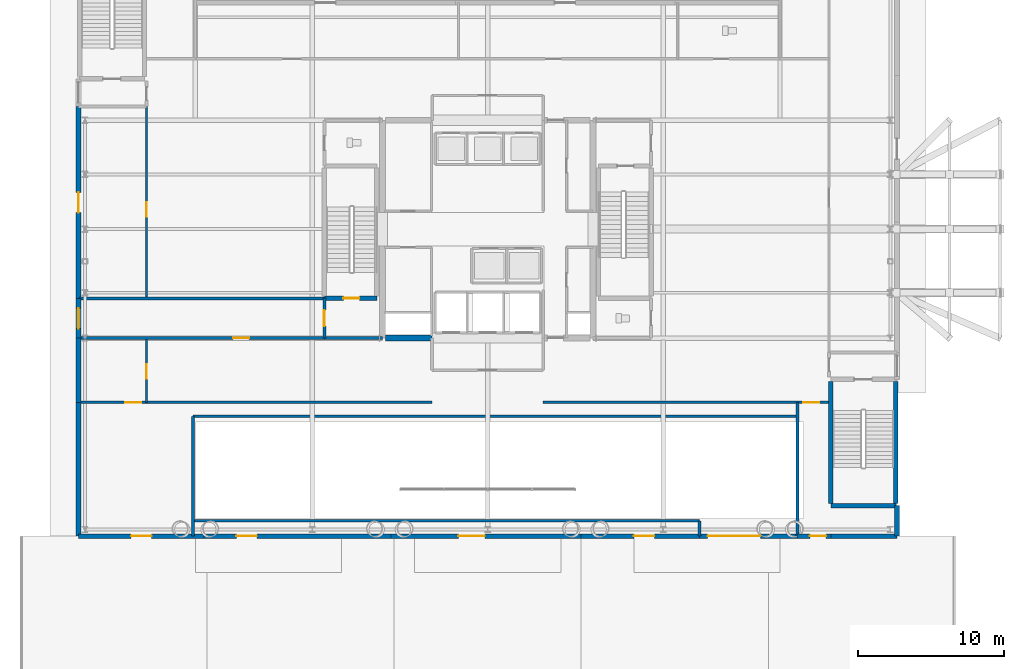
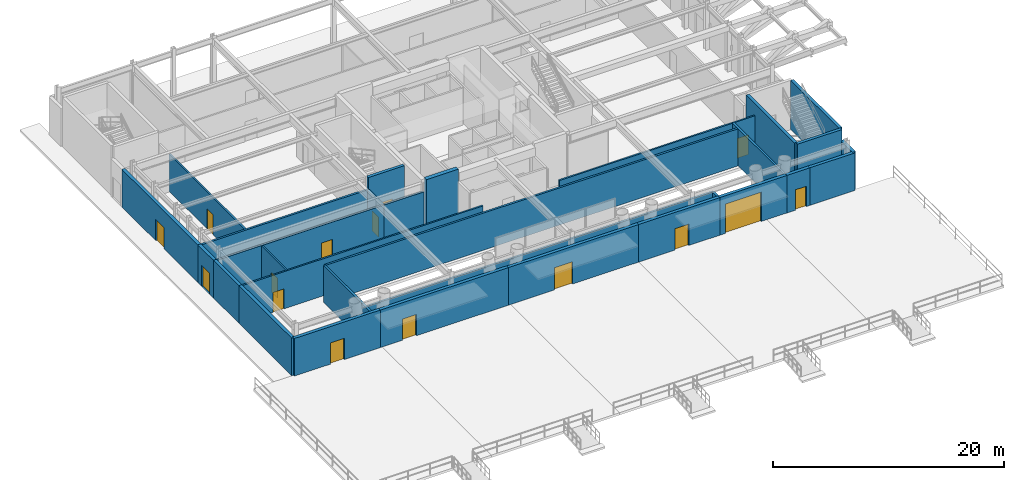
# One storey, part 11 of 19: 30 walls, 15 doors, 15 openings.
"""IFC4 building model written with IfcOpenShell, lengths in metres."""

from ifc_helpers import new_model, si_unit, direction, frame, frame_2d, origin, place, context, subcontext, project, spatial, rectangle, extrude, material, layer, layer_set, type_object, element, fill, save


model = new_model("IFC4")

# Units and contexts
model_context = context("Model", 3, precision=1e-05, world=origin(), true_north=direction((0.0, 1.0)))
body_context = subcontext(model_context, "Body", "Model", "MODEL_VIEW")
ifc_project = project(units=[si_unit("LENGTHUNIT", "METRE"), si_unit("AREAUNIT", "SQUARE_METRE"), si_unit("VOLUMEUNIT", "CUBIC_METRE"), si_unit("PLANEANGLEUNIT", "RADIAN"), si_unit("MASSUNIT", "GRAM", prefix="KILO")], contexts=[model_context])

# Site, building, storey
site_placement = place(None, origin())
site = spatial("IfcSite", under=ifc_project, at=site_placement, CompositionType="ELEMENT")
building_placement = place(site_placement, origin())
building = spatial("IfcBuilding", under=site, at=building_placement, Name="Veldorina Hangang Commons", CompositionType="ELEMENT")
storey_placement = place(building_placement, origin())
storey = spatial("IfcBuildingStorey", under=building, at=storey_placement, Name="L00", CompositionType="ELEMENT", Elevation=0.0)

# Wall
ifc_material_1 = material(Name="Concrete C70/85", Category="concrete")
ifc_layer_1 = layer(ifc_material_1, 0.39990234375)
ifc_layer_set_1 = layer_set([ifc_layer_1], Name="Concrete C70/85")
wall_type_1 = type_object("IfcWallType", Name="CW-RC400-C70", PredefinedType="SHEAR", material=ifc_layer_set_1)
wall_1_placement = place(storey_placement, frame((25.0, 16.550048828125, 0.0), z_axis=(0.0, 0.0, 1.0), x_axis=(1.0, 0.0, 0.0)))
element("IfcWall", 1, at=wall_1_placement, inside=storey, type_object=wall_type_1, Name="L00 south-west core shear wall", PredefinedType="SHEAR", context=body_context, shape_type="SweptSolid", body=[
    extrude(rectangle(XDim=3.199951171875, YDim=0.39990234375, at=frame_2d((1.60009765625, 0.0))), origin(), (0.0, 0.0, 1.0), 5.199951171875),
])

# Wall, opening, door
ifc_material_2 = material(Name="Stone Pietra Limestone", Category="masonry")
ifc_layer_2 = layer(ifc_material_2, 0.320068359375)
ifc_layer_set_2 = layer_set([ifc_layer_2], Name="Stone Pietra Limestone")
wall_type_2 = type_object("IfcWallType", Name="EW-LIME-320", PredefinedType="STANDARD", material=ifc_layer_set_2)
wall_2_placement = place(storey_placement, frame((4.0, 3.0, 0.0), z_axis=(0.0, 0.0, 1.0), x_axis=(1.0, 0.0, 0.0)))
wall_2 = element("IfcWall", 2, at=wall_2_placement, inside=storey, type_object=wall_type_2, Name="L00 south waterfront stone wall S1", PredefinedType="STANDARD", context=body_context, shape_type="SweptSolid", body=[
    extrude(rectangle(XDim=8.60009765625, YDim=0.320068359375, at=frame_2d((4.300048828125, 0.0))), origin(), (0.0, 0.0, 1.0), 3.969970703125),
])
opening_1_placement = place(wall_2_placement, frame((3.60009765625, 0.0, 0.0)))
opening_1 = element("IfcOpeningElement", 3, at=opening_1_placement, cuts=wall_2, Name="Opening ED-S1400", PredefinedType="OPENING", context=body_context, shape_type="SweptSolid", body=[
    extrude(rectangle(XDim=1.39990234375, YDim=2.25, at=frame_2d((0.699951171875, 1.125))), frame((0.0, 0.169921875, 0.0), z_axis=(0.0, -1.0, 0.0), x_axis=(1.0, 0.0, 0.0)), (0.0, 0.0, 1.0), 0.340087890625),
])
ifc_material_3 = material(Name="Glass Framed Anodized Bronze", Category="glass")
door_type_1 = type_object("IfcDoorType", Name="DR-EXT-SHOP1400", OperationType="SINGLE_SWING_RIGHT", PredefinedType="DOOR", material=ifc_material_3)
door_1_placement = place(opening_1_placement, frame((1.39990234375, 0.0, 0.0), z_axis=(0.0, 0.0, 1.0), x_axis=(-1.0, 0.0, 0.0)))
door_1 = element("IfcDoor", 4, at=door_1_placement, inside=storey, type_object=door_type_1, Name="L00 Hangang promenade entrance door S1", OperationType="SINGLE_SWING_RIGHT", OverallHeight=2.25, OverallWidth=1.39990234375, PredefinedType="DOOR", context=body_context, shape_type="SweptSolid", body=[
    extrude(rectangle(XDim=1.39990234375, YDim=2.25, at=frame_2d((0.699951171875, 1.125))), frame((0.0, 0.02490234375, 0.0), z_axis=(0.0, -1.0, 0.0), x_axis=(1.0, 0.0, 0.0)), (0.0, 0.0, 1.0), 0.050048828125),
])
fill(opening_1, door_1)

wall_3_placement = place(storey_placement, frame((12.60009765625, 3.0, 0.0), z_axis=(0.0, 0.0, 1.0), x_axis=(1.0, 0.0, 0.0)))
wall_3 = element("IfcWall", 5, at=wall_3_placement, inside=storey, type_object=wall_type_2, Name="L00 south waterfront stone wall S2", PredefinedType="STANDARD", context=body_context, shape_type="SweptSolid", body=[
    extrude(rectangle(XDim=12.7998046875, YDim=0.320068359375, at=frame_2d((6.39990234375, 0.0))), origin(), (0.0, 0.0, 1.0), 3.969970703125),
])
opening_2_placement = place(wall_3_placement, frame((2.199951171875, 0.0, 0.0)))
opening_2 = element("IfcOpeningElement", 6, at=opening_2_placement, cuts=wall_3, Name="Opening ED-S1400", PredefinedType="OPENING", context=body_context, shape_type="SweptSolid", body=[
    extrude(rectangle(XDim=1.39990234375, YDim=2.25, at=frame_2d((0.699951171875, 1.125))), frame((0.0, 0.169921875, 0.0), z_axis=(0.0, -1.0, 0.0), x_axis=(1.0, 0.0, 0.0)), (0.0, 0.0, 1.0), 0.340087890625),
])
door_2_placement = place(opening_2_placement, frame((1.39990234375, 0.0, 0.0), z_axis=(0.0, 0.0, 1.0), x_axis=(-1.0, 0.0, 0.0)))
door_2 = element("IfcDoor", 7, at=door_2_placement, inside=storey, type_object=door_type_1, Name="L00 Hangang promenade entrance door S2", OperationType="SINGLE_SWING_RIGHT", OverallHeight=2.25, OverallWidth=1.39990234375, PredefinedType="DOOR", context=body_context, shape_type="SweptSolid", body=[
    extrude(rectangle(XDim=1.39990234375, YDim=2.25, at=frame_2d((0.699951171875, 1.125))), frame((0.0, 0.02490234375, 0.0), z_axis=(0.0, -1.0, 0.0), x_axis=(1.0, 0.0, 0.0)), (0.0, 0.0, 1.0), 0.050048828125),
])
fill(opening_2, door_2)

wall_4_placement = place(storey_placement, frame((25.39990234375, 3.0, 0.0), z_axis=(0.0, 0.0, 1.0), x_axis=(1.0, 0.0, 0.0)))
wall_4 = element("IfcWall", 8, at=wall_4_placement, inside=storey, type_object=wall_type_2, Name="L00 south waterfront stone wall S3", PredefinedType="STANDARD", context=body_context, shape_type="SweptSolid", body=[
    extrude(rectangle(XDim=13.0, YDim=0.320068359375, at=frame_2d((6.5, 0.0))), origin(), (0.0, 0.0, 1.0), 3.969970703125),
])
opening_3_placement = place(wall_4_placement, frame((4.60009765625, 0.0, 0.0)))
opening_3 = element("IfcOpeningElement", 9, at=opening_3_placement, cuts=wall_4, Name="Opening ED-1800", PredefinedType="OPENING", context=body_context, shape_type="SweptSolid", body=[
    extrude(rectangle(XDim=1.800048828125, YDim=2.35009765625, at=frame_2d((0.89990234375, 1.175048828125))), frame((0.0, 0.169921875, 0.0), z_axis=(0.0, -1.0, 0.0), x_axis=(1.0, 0.0, 0.0)), (0.0, 0.0, 1.0), 0.340087890625),
])
door_type_2 = type_object("IfcDoorType", Name="DR-EXT-DBL1800", OperationType="DOUBLE_SWING_LEFT", PredefinedType="DOOR", material=ifc_material_3)
door_3_placement = place(opening_3_placement, origin())
door_3 = element("IfcDoor", 10, at=door_3_placement, inside=storey, type_object=door_type_2, Name="L00 Hangang promenade main entrance S3", OperationType="DOUBLE_SWING_LEFT", OverallHeight=2.35009765625, OverallWidth=1.800048828125, PredefinedType="DOOR", context=body_context, shape_type="SweptSolid", body=[
    extrude(rectangle(XDim=1.800048828125, YDim=2.35009765625, at=frame_2d((0.89990234375, 1.175048828125))), frame((0.0, 0.02490234375, 0.0), z_axis=(0.0, -1.0, 0.0), x_axis=(1.0, 0.0, 0.0)), (0.0, 0.0, 1.0), 0.050048828125),
])
fill(opening_3, door_3)

wall_5_placement = place(storey_placement, frame((38.39990234375, 3.0, 0.0), z_axis=(0.0, 0.0, 1.0), x_axis=(1.0, 0.0, 0.0)))
wall_5 = element("IfcWall", 11, at=wall_5_placement, inside=storey, type_object=wall_type_2, Name="L00 south waterfront stone wall S4", PredefinedType="STANDARD", context=body_context, shape_type="SweptSolid", body=[
    extrude(rectangle(XDim=8.10009765625, YDim=0.320068359375, at=frame_2d((4.050048828125, 0.0))), origin(), (0.0, 0.0, 1.0), 3.969970703125),
])
opening_4_placement = place(wall_5_placement, frame((3.60009765625, 0.0, 0.0)))
opening_4 = element("IfcOpeningElement", 12, at=opening_4_placement, cuts=wall_5, Name="Opening ED-S1400", PredefinedType="OPENING", context=body_context, shape_type="SweptSolid", body=[
    extrude(rectangle(XDim=1.39990234375, YDim=2.25, at=frame_2d((0.699951171875, 1.125))), frame((0.0, 0.169921875, 0.0), z_axis=(0.0, -1.0, 0.0), x_axis=(1.0, 0.0, 0.0)), (0.0, 0.0, 1.0), 0.340087890625),
])
door_4_placement = place(opening_4_placement, frame((1.39990234375, 0.0, 0.0), z_axis=(0.0, 0.0, 1.0), x_axis=(-1.0, 0.0, 0.0)))
door_4 = element("IfcDoor", 13, at=door_4_placement, inside=storey, type_object=door_type_1, Name="L00 Hangang promenade entrance door S4", OperationType="SINGLE_SWING_RIGHT", OverallHeight=2.25, OverallWidth=1.39990234375, PredefinedType="DOOR", context=body_context, shape_type="SweptSolid", body=[
    extrude(rectangle(XDim=1.39990234375, YDim=2.25, at=frame_2d((0.699951171875, 1.125))), frame((0.0, 0.02490234375, 0.0), z_axis=(0.0, -1.0, 0.0), x_axis=(1.0, 0.0, 0.0)), (0.0, 0.0, 1.0), 0.050048828125),
])
fill(opening_4, door_4)

wall_6_placement = place(storey_placement, frame((46.5, 3.0, 0.0), z_axis=(0.0, 0.0, 1.0), x_axis=(1.0, 0.0, 0.0)))
wall_6 = element("IfcWall", 14, at=wall_6_placement, inside=storey, type_object=wall_type_2, Name="L00 south waterfront stone wall S5", PredefinedType="STANDARD", context=body_context, shape_type="SweptSolid", body=[
    extrude(rectangle(XDim=6.699951171875, YDim=0.320068359375, at=frame_2d((3.35009765625, 0.0))), origin(), (0.0, 0.0, 1.0), 3.969970703125),
])
opening_5_placement = place(wall_6_placement, frame((0.550048828125, 0.0, 0.0)))
opening_5 = element("IfcOpeningElement", 15, at=opening_5_placement, cuts=wall_6, Name="Opening VG-03", PredefinedType="OPENING", context=body_context, shape_type="SweptSolid", body=[
    extrude(rectangle(XDim=3.60009765625, YDim=3.10009765625, at=frame_2d((1.800048828125, 1.550048828125))), frame((0.0, 0.169921875, 0.0), z_axis=(0.0, -1.0, 0.0), x_axis=(1.0, 0.0, 0.0)), (0.0, 0.0, 1.0), 0.340087890625),
])
ifc_material_4 = material(Name="Aluminium Insulated Roller Shutter", Category="aluminium")
door_type_3 = type_object("IfcDoorType", Name="DR-VEH-GATE4800", OperationType="ROLLINGUP", PredefinedType="GATE", material=ifc_material_4)
door_5_placement = place(opening_5_placement, origin())
door_5 = element("IfcDoor", 16, at=door_5_placement, inside=storey, type_object=door_type_3, Name="L00 car park ramp roller gate VG-01", OperationType="ROLLINGUP", OverallHeight=3.10009765625, OverallWidth=3.60009765625, PredefinedType="GATE", context=body_context, shape_type="SweptSolid", body=[
    extrude(rectangle(XDim=3.60009765625, YDim=3.10009765625, at=frame_2d((1.800048828125, 1.550048828125))), frame((0.0, 0.02490234375, 0.0), z_axis=(0.0, -1.0, 0.0), x_axis=(1.0, 0.0, 0.0)), (0.0, 0.0, 1.0), 0.050048828125),
])
fill(opening_5, door_5)

wall_7_placement = place(storey_placement, frame((53.199951171875, 3.0, 0.0), z_axis=(0.0, 0.0, 1.0), x_axis=(1.0, 0.0, 0.0)))
wall_7 = element("IfcWall", 17, at=wall_7_placement, inside=storey, type_object=wall_type_2, Name="L00 south waterfront stone wall S5E", PredefinedType="STANDARD", context=body_context, shape_type="SweptSolid", body=[
    extrude(rectangle(XDim=2.280029296875, YDim=0.320068359375, at=frame_2d((1.14013671875, 0.0))), origin(), (0.0, 0.0, 1.0), 3.969970703125),
])
opening_6_placement = place(wall_7_placement, frame((0.85009765625, 0.0, 0.0)))
opening_6 = element("IfcOpeningElement", 18, at=opening_6_placement, cuts=wall_7, Name="Opening BD-1100", PredefinedType="OPENING", context=body_context, shape_type="SweptSolid", body=[
    extrude(rectangle(XDim=1.10009765625, YDim=2.14990234375, at=frame_2d((0.550048828125, 1.074951171875))), frame((0.0, 0.169921875, 0.0), z_axis=(0.0, -1.0, 0.0), x_axis=(1.0, 0.0, 0.0)), (0.0, 0.0, 1.0), 0.340087890625),
])
ifc_material_5 = material(Name="Glass Thermal Aluminium Frame", Category="aluminium")
door_type_4 = type_object("IfcDoorType", Name="DR-EXT-BAL1100", OperationType="SINGLE_SWING_RIGHT", PredefinedType="DOOR", material=ifc_material_5)
door_6_placement = place(opening_6_placement, frame((1.10009765625, 0.0, 0.0), z_axis=(0.0, 0.0, 1.0), x_axis=(-1.0, 0.0, 0.0)))
door_6 = element("IfcDoor", 19, at=door_6_placement, inside=storey, type_object=door_type_4, Name="L00 Hangang promenade east entrance door S5", OperationType="SINGLE_SWING_RIGHT", OverallHeight=2.14990234375, OverallWidth=1.10009765625, PredefinedType="DOOR", context=body_context, shape_type="SweptSolid", body=[
    extrude(rectangle(XDim=1.10009765625, YDim=2.14990234375, at=frame_2d((0.550048828125, 1.074951171875))), frame((0.0, 0.02490234375, 0.0), z_axis=(0.0, -1.0, 0.0), x_axis=(1.0, 0.0, 0.0)), (0.0, 0.0, 1.0), 0.050048828125),
])
fill(opening_6, door_6)

# Walls
wall_8_placement = place(storey_placement, frame((55.47998046875, 3.0, 0.0), z_axis=(0.0, 0.0, 1.0), x_axis=(1.0, 0.0, 0.0)))
element("IfcWall", 20, at=wall_8_placement, inside=storey, type_object=wall_type_2, Name="L00 south waterfront stone wall S6", PredefinedType="STANDARD", context=body_context, shape_type="SweptSolid", body=[
    extrude(rectangle(XDim=4.52001953125, YDim=0.320068359375, at=frame_2d((2.260009765625, 0.0))), origin(), (0.0, 0.0, 1.0), 3.969970703125),
])
wall_9_placement = place(storey_placement, frame((4.0, 12.14990234375, 0.0), z_axis=(0.0, 0.0, 1.0), x_axis=(0.0, -1.0, 0.0)))
element("IfcWall", 21, at=wall_9_placement, inside=storey, type_object=wall_type_2, Name="L00 west podium stone wall W1", PredefinedType="STANDARD", context=body_context, shape_type="SweptSolid", body=[
    extrude(rectangle(XDim=9.14990234375, YDim=0.320068359375, at=frame_2d((4.574951171875, 0.0))), origin(), (0.0, 0.0, 1.0), 3.969970703125),
])
wall_10_placement = place(storey_placement, frame((4.0, 16.550048828125, 0.0), z_axis=(0.0, 0.0, 1.0), x_axis=(0.0, -1.0, 0.0)))
element("IfcWall", 22, at=wall_10_placement, inside=storey, type_object=wall_type_2, Name="L00 west podium stone wall W2", PredefinedType="STANDARD", context=body_context, shape_type="SweptSolid", body=[
    extrude(rectangle(XDim=4.400146484375, YDim=0.320068359375, at=frame_2d((2.2001953125, 0.0))), origin(), (0.0, 0.0, 1.0), 3.969970703125),
])

# Wall, opening, door
wall_11_placement = place(storey_placement, frame((4.0, 19.25, 0.0), z_axis=(0.0, 0.0, 1.0), x_axis=(0.0, -1.0, 0.0)))
wall_11 = element("IfcWall", 23, at=wall_11_placement, inside=storey, type_object=wall_type_2, Name="L00 west podium stone wall W3", PredefinedType="STANDARD", context=body_context, shape_type="SweptSolid", body=[
    extrude(rectangle(XDim=2.699951171875, YDim=0.320068359375, at=frame_2d((1.35009765625, 0.0))), origin(), (0.0, 0.0, 1.0), 3.969970703125),
])
opening_7_placement = place(wall_11_placement, frame((0.64990234375, 0.0, 0.0)))
opening_7 = element("IfcOpeningElement", 24, at=opening_7_placement, cuts=wall_11, Name="Opening ED-1400", PredefinedType="OPENING", context=body_context, shape_type="SweptSolid", body=[
    extrude(rectangle(XDim=1.39990234375, YDim=2.199951171875, at=frame_2d((0.699951171875, 1.10009765625))), frame((0.0, 0.169921875, 0.0), z_axis=(0.0, -1.0, 0.0), x_axis=(1.0, 0.0, 0.0)), (0.0, 0.0, 1.0), 0.340087890625),
])
ifc_material_6 = material(Name="Steel Insulated Painted", Category="steel")
door_type_5 = type_object("IfcDoorType", Name="DR-EXT-EXIT1400", OperationType="SINGLE_SWING_LEFT", PredefinedType="DOOR", material=ifc_material_6)
door_7_placement = place(opening_7_placement, frame((1.39990234375, 0.0, 0.0), z_axis=(0.0, 0.0, 1.0), x_axis=(-1.0, 0.0, 0.0)))
door_7 = element("IfcDoor", 25, at=door_7_placement, inside=storey, type_object=door_type_5, Name="L00 ST-1 protected passageway final exterior exit door", OperationType="SINGLE_SWING_RIGHT", OverallHeight=2.199951171875, OverallWidth=1.39990234375, PredefinedType="DOOR", context=body_context, shape_type="SweptSolid", body=[
    extrude(rectangle(XDim=1.39990234375, YDim=2.199951171875, at=frame_2d((0.699951171875, 1.10009765625))), frame((0.0, 0.02490234375, 0.0), z_axis=(0.0, -1.0, 0.0), x_axis=(1.0, 0.0, 0.0)), (0.0, 0.0, 1.0), 0.050048828125),
])
fill(opening_7, door_7)

wall_12_placement = place(storey_placement, frame((4.0, 32.39990234375, 0.0), z_axis=(0.0, 0.0, 1.0), x_axis=(0.0, -1.0, 0.0)))
wall_12 = element("IfcWall", 26, at=wall_12_placement, inside=storey, type_object=wall_type_2, Name="L00 west podium stone wall W4", PredefinedType="STANDARD", context=body_context, shape_type="SweptSolid", body=[
    extrude(rectangle(XDim=13.14990234375, YDim=0.320068359375, at=frame_2d((6.574951171875, 0.0))), origin(), (0.0, 0.0, 1.0), 3.969970703125),
])
opening_8_placement = place(wall_12_placement, frame((5.875, 0.0, 0.0)))
opening_8 = element("IfcOpeningElement", 27, at=opening_8_placement, cuts=wall_12, Name="Opening ED-S1400", PredefinedType="OPENING", context=body_context, shape_type="SweptSolid", body=[
    extrude(rectangle(XDim=1.39990234375, YDim=2.25, at=frame_2d((0.699951171875, 1.125))), frame((0.0, 0.169921875, 0.0), z_axis=(0.0, -1.0, 0.0), x_axis=(1.0, 0.0, 0.0)), (0.0, 0.0, 1.0), 0.340087890625),
])
door_8_placement = place(opening_8_placement, frame((1.39990234375, 0.0, 0.0), z_axis=(0.0, 0.0, 1.0), x_axis=(-1.0, 0.0, 0.0)))
door_8 = element("IfcDoor", 28, at=door_8_placement, inside=storey, type_object=door_type_1, Name="L00 west retail bakery street door", OperationType="SINGLE_SWING_RIGHT", OverallHeight=2.25, OverallWidth=1.39990234375, PredefinedType="DOOR", context=body_context, shape_type="SweptSolid", body=[
    extrude(rectangle(XDim=1.39990234375, YDim=2.25, at=frame_2d((0.699951171875, 1.125))), frame((0.0, 0.02490234375, 0.0), z_axis=(0.0, -1.0, 0.0), x_axis=(1.0, 0.0, 0.0)), (0.0, 0.0, 1.0), 0.050048828125),
])
fill(opening_8, door_8)

# Wall
wall_13_placement = place(storey_placement, frame((60.0, 3.0, 0.0), z_axis=(0.0, 0.0, 1.0), x_axis=(0.0, 1.0, 0.0)))
element("IfcWall", 29, at=wall_13_placement, inside=storey, type_object=wall_type_2, Name="L00 east podium stone wall E1", PredefinedType="STANDARD", context=body_context, shape_type="SweptSolid", body=[
    extrude(rectangle(XDim=2.080078125, YDim=0.320068359375, at=frame_2d((1.0400390625, 0.0))), origin(), (0.0, 0.0, 1.0), 3.969970703125),
])

# Wall, opening, door
ifc_material_7 = material(Name="Concrete C50/60", Category="concrete")
ifc_layer_3 = layer(ifc_material_7, 0.300048828125)
ifc_layer_set_3 = layer_set([ifc_layer_3], Name="Concrete C50/60")
wall_type_3 = type_object("IfcWallType", Name="SW-STAIR-300", PredefinedType="SHEAR", material=ifc_layer_set_3)
wall_14_placement = place(storey_placement, frame((20.820068359375, 19.280029296875, 0.0), z_axis=(0.0, 0.0, 1.0), x_axis=(1.0, 0.0, 0.0)))
wall_14 = element("IfcWall", 30, at=wall_14_placement, inside=storey, type_object=wall_type_3, Name="L00 ST1 south stair shear wall", PredefinedType="SHEAR", context=body_context, shape_type="SweptSolid", body=[
    extrude(rectangle(XDim=3.599853515625, YDim=0.300048828125, at=frame_2d((1.7998046875, 0.0))), origin(), (0.0, 0.0, 1.0), 5.199951171875),
])
opening_9_placement = place(wall_14_placement, frame((1.300048828125, 0.0, 0.0)))
opening_9 = element("IfcOpeningElement", 31, at=opening_9_placement, cuts=wall_14, Name="Opening D-08", PredefinedType="OPENING", context=body_context, shape_type="SweptSolid", body=[
    extrude(rectangle(XDim=1.10009765625, YDim=2.10009765625, at=frame_2d((0.550048828125, 1.050048828125))), frame((0.0, 0.16015625, 0.0), z_axis=(0.0, -1.0, 0.0), x_axis=(1.0, 0.0, 0.0)), (0.0, 0.0, 1.0), 0.320068359375),
])
ifc_material_8 = material(Name="Steel Fire-Rated Smoke Seal", Category="steel")
door_type_6 = type_object("IfcDoorType", Name="DR-FIRE-1100", OperationType="SINGLE_SWING_RIGHT", PredefinedType="DOOR", material=ifc_material_8)
door_9_placement = place(opening_9_placement, origin())
door_9 = element("IfcDoor", 32, at=door_9_placement, inside=storey, type_object=door_type_6, Name="L00 Special Escape Stair ST-1 door", OperationType="SINGLE_SWING_LEFT", OverallHeight=2.10009765625, OverallWidth=1.10009765625, PredefinedType="DOOR", context=body_context, shape_type="SweptSolid", body=[
    extrude(rectangle(XDim=1.10009765625, YDim=2.10009765625, at=frame_2d((0.550048828125, 1.050048828125))), frame((0.0, 0.02490234375, 0.0), z_axis=(0.0, -1.0, 0.0), x_axis=(1.0, 0.0, 0.0)), (0.0, 0.0, 1.0), 0.050048828125),
])
fill(opening_9, door_9)

# Walls
for number, where, z_axis, x_axis, name in (
    (33, (55.47998046875, 5.22998046875, 0.0), (0.0, 0.0, 1.0), (0.0, 1.0, 0.0), "L00 STP2 W stair shear wall"),
    (34, (59.919921875, 5.22998046875, 0.0), (0.0, 0.0, 1.0), (0.0, 1.0, 0.0), "L00 STP2 E stair shear wall"),
):
    element("IfcWall", number, at=place(storey_placement, frame(where, z_axis=z_axis, x_axis=x_axis)), inside=storey, type_object=wall_type_3, Name=name, PredefinedType="SHEAR", context=body_context, shape_type="SweptSolid", body=[
        extrude(rectangle(XDim=8.340087890625, YDim=0.300048828125, at=frame_2d((4.169921875, 0.0))), origin(), (0.0, 0.0, 1.0), 5.199951171875),
    ])
wall_15_placement = place(storey_placement, frame((55.47998046875, 5.080078125, 0.0), z_axis=(0.0, 0.0, 1.0), x_axis=(1.0, 0.0, 0.0)))
element("IfcWall", 35, at=wall_15_placement, inside=storey, type_object=wall_type_3, Name="L00 STP2 S stair shear wall", PredefinedType="SHEAR", context=body_context, shape_type="SweptSolid", body=[
    extrude(rectangle(XDim=4.43994140625, YDim=0.300048828125, at=frame_2d((2.219970703125, 0.0))), origin(), (0.0, 0.0, 1.0), 5.199951171875),
])

# Wall, opening, door
ifc_material_9 = material(Name="Gypsum Fire-Rated Twin Stud Wall", Category="gypsum")
ifc_layer_4 = layer(ifc_material_9, 0.159912109375)
ifc_layer_set_4 = layer_set([ifc_layer_4], Name="Gypsum Fire-Rated Twin Stud Wall")
wall_type_4 = type_object("IfcWallType", Name="WL-FIRE-160", PredefinedType="SOLIDWALL", material=ifc_layer_set_4)
wall_16_placement = place(storey_placement, frame((4.0, 12.14990234375, 0.0), z_axis=(0.0, 0.0, 1.0), x_axis=(1.0, 0.0, 0.0)))
wall_16 = element("IfcWall", 36, at=wall_16_placement, inside=storey, type_object=wall_type_4, Name="L00 Concourse south-west wall 057", PredefinedType="SOLIDWALL", context=body_context, shape_type="SweptSolid", body=[
    extrude(rectangle(XDim=24.199951171875, YDim=0.159912109375, at=frame_2d((12.10009765625, 0.0))), origin(), (0.0, 0.0, 1.0), 3.919921875),
])
opening_10_placement = place(wall_16_placement, frame((3.199951171875, 0.0, 0.0)))
opening_10 = element("IfcOpeningElement", 37, at=opening_10_placement, cuts=wall_16, Name="Opening D-08", PredefinedType="OPENING", context=body_context, shape_type="SweptSolid", body=[
    extrude(rectangle(XDim=1.10009765625, YDim=2.10009765625, at=frame_2d((0.550048828125, 1.050048828125))), frame((0.0, 0.08984375, 0.0), z_axis=(0.0, -1.0, 0.0), x_axis=(1.0, 0.0, 0.0)), (0.0, 0.0, 1.0), 0.179931640625),
])
door_10_placement = place(opening_10_placement, origin())
door_10 = element("IfcDoor", 38, at=door_10_placement, inside=storey, type_object=door_type_6, Name="L00 Fire Command Centre concourse door 023", OperationType="SINGLE_SWING_LEFT", OverallHeight=2.10009765625, OverallWidth=1.10009765625, PredefinedType="DOOR", context=body_context, shape_type="SweptSolid", body=[
    extrude(rectangle(XDim=1.10009765625, YDim=2.10009765625, at=frame_2d((0.550048828125, 1.050048828125))), frame((0.0, 0.02490234375, 0.0), z_axis=(0.0, -1.0, 0.0), x_axis=(1.0, 0.0, 0.0)), (0.0, 0.0, 1.0), 0.050048828125),
])
fill(opening_10, door_10)

wall_17_placement = place(storey_placement, frame((35.800048828125, 12.14990234375, 0.0), z_axis=(0.0, 0.0, 1.0), x_axis=(1.0, 0.0, 0.0)))
wall_17 = element("IfcWall", 39, at=wall_17_placement, inside=storey, type_object=wall_type_4, Name="L00 Concourse south-east wall 058", PredefinedType="SOLIDWALL", context=body_context, shape_type="SweptSolid", body=[
    extrude(rectangle(XDim=19.550048828125, YDim=0.159912109375, at=frame_2d((9.77490234375, 0.0))), origin(), (0.0, 0.0, 1.0), 3.919921875),
])
opening_11_placement = place(wall_17_placement, frame((17.800048828125, 0.0, 0.0)))
opening_11 = element("IfcOpeningElement", 40, at=opening_11_placement, cuts=wall_17, Name="Opening D-08", PredefinedType="OPENING", context=body_context, shape_type="SweptSolid", body=[
    extrude(rectangle(XDim=1.10009765625, YDim=2.10009765625, at=frame_2d((0.550048828125, 1.050048828125))), frame((0.0, 0.08984375, 0.0), z_axis=(0.0, -1.0, 0.0), x_axis=(1.0, 0.0, 0.0)), (0.0, 0.0, 1.0), 0.179931640625),
])
door_11_placement = place(opening_11_placement, origin())
door_11 = element("IfcDoor", 41, at=door_11_placement, inside=storey, type_object=door_type_6, Name="L00 South-east promenade lobby concourse door 022", OperationType="SINGLE_SWING_RIGHT", OverallHeight=2.10009765625, OverallWidth=1.10009765625, PredefinedType="DOOR", context=body_context, shape_type="SweptSolid", body=[
    extrude(rectangle(XDim=1.10009765625, YDim=2.10009765625, at=frame_2d((0.550048828125, 1.050048828125))), frame((0.0, 0.02490234375, 0.0), z_axis=(0.0, -1.0, 0.0), x_axis=(1.0, 0.0, 0.0)), (0.0, 0.0, 1.0), 0.050048828125),
])
fill(opening_11, door_11)

wall_18_placement = place(storey_placement, frame((8.64990234375, 12.14990234375, 0.0), z_axis=(0.0, 0.0, 1.0), x_axis=(0.0, 1.0, 0.0)))
wall_18 = element("IfcWall", 42, at=wall_18_placement, inside=storey, type_object=wall_type_4, Name="L00 Concourse south-west shop wall 059", PredefinedType="SOLIDWALL", context=body_context, shape_type="SweptSolid", body=[
    extrude(rectangle(XDim=4.300048828125, YDim=0.159912109375, at=frame_2d((2.14990234375, 0.0))), origin(), (0.0, 0.0, 1.0), 3.919921875),
])
opening_12_placement = place(wall_18_placement, frame((1.60009765625, 0.0, 0.0)))
opening_12 = element("IfcOpeningElement", 43, at=opening_12_placement, cuts=wall_18, Name="Opening D-05", PredefinedType="OPENING", context=body_context, shape_type="SweptSolid", body=[
    extrude(rectangle(XDim=1.0, YDim=2.10009765625, at=frame_2d((0.5, 1.050048828125))), frame((0.0, 0.08984375, 0.0), z_axis=(0.0, -1.0, 0.0), x_axis=(1.0, 0.0, 0.0)), (0.0, 0.0, 1.0), 0.179931640625),
])
ifc_material_10 = material(Name="Timber Solid Core Acoustic", Category="wood")
door_type_7 = type_object("IfcDoorType", Name="DR-INT-1000", OperationType="SINGLE_SWING_RIGHT", PredefinedType="DOOR", material=ifc_material_10)
door_12_placement = place(opening_12_placement, origin())
door_12 = element("IfcDoor", 44, at=door_12_placement, inside=storey, type_object=door_type_7, Name="L00 South-west kiosk concourse door 024", OperationType="SINGLE_SWING_RIGHT", OverallHeight=2.10009765625, OverallWidth=1.0, PredefinedType="DOOR", context=body_context, shape_type="SweptSolid", body=[
    extrude(rectangle(XDim=1.0, YDim=2.10009765625, at=frame_2d((0.5, 1.050048828125))), frame((0.0, 0.02490234375, 0.0), z_axis=(0.0, -1.0, 0.0), x_axis=(1.0, 0.0, 0.0)), (0.0, 0.0, 1.0), 0.050048828125),
])
fill(opening_12, door_12)

wall_19_placement = place(storey_placement, frame((8.64990234375, 19.35009765625, 0.0), z_axis=(0.0, 0.0, 1.0), x_axis=(0.0, 1.0, 0.0)))
wall_19 = element("IfcWall", 45, at=wall_19_placement, inside=storey, type_object=wall_type_4, Name="L00 Concourse north-west shop wall 060", PredefinedType="SOLIDWALL", context=body_context, shape_type="SweptSolid", body=[
    extrude(rectangle(XDim=13.0498046875, YDim=0.159912109375, at=frame_2d((6.52490234375, 0.0))), origin(), (0.0, 0.0, 1.0), 3.919921875),
])
opening_13_placement = place(wall_19_placement, frame((5.5, 0.0, 0.0)))
opening_13 = element("IfcOpeningElement", 46, at=opening_13_placement, cuts=wall_19, Name="Opening D-05", PredefinedType="OPENING", context=body_context, shape_type="SweptSolid", body=[
    extrude(rectangle(XDim=1.0, YDim=2.10009765625, at=frame_2d((0.5, 1.050048828125))), frame((0.0, 0.08984375, 0.0), z_axis=(0.0, -1.0, 0.0), x_axis=(1.0, 0.0, 0.0)), (0.0, 0.0, 1.0), 0.179931640625),
])
door_13_placement = place(opening_13_placement, origin())
door_13 = element("IfcDoor", 47, at=door_13_placement, inside=storey, type_object=door_type_7, Name="L00 West retail concourse door 025", OperationType="SINGLE_SWING_LEFT", OverallHeight=2.10009765625, OverallWidth=1.0, PredefinedType="DOOR", context=body_context, shape_type="SweptSolid", body=[
    extrude(rectangle(XDim=1.0, YDim=2.10009765625, at=frame_2d((0.5, 1.050048828125))), frame((0.0, 0.02490234375, 0.0), z_axis=(0.0, -1.0, 0.0), x_axis=(1.0, 0.0, 0.0)), (0.0, 0.0, 1.0), 0.050048828125),
])
fill(opening_13, door_13)

ifc_material_11 = material(Name="Concrete Blockwork Fire Wall C30/37", Category="masonry")
ifc_layer_5 = layer(ifc_material_11, 0.199951171875)
ifc_layer_set_5 = layer_set([ifc_layer_5], Name="Concrete Blockwork Fire Wall C30/37")
wall_type_5 = type_object("IfcWallType", Name="WL-FIRE-200", PredefinedType="SOLIDWALL", material=ifc_layer_set_5)
wall_20_placement = place(storey_placement, frame((20.820068359375, 16.550048828125, 0.0), z_axis=(0.0, 0.0, 1.0), x_axis=(0.0, 1.0, 0.0)))
wall_20 = element("IfcWall", 48, at=wall_20_placement, inside=storey, type_object=wall_type_5, Name="L00 West vestibule outer wall 001", PredefinedType="SOLIDWALL", context=body_context, shape_type="SweptSolid", body=[
    extrude(rectangle(XDim=2.72998046875, YDim=0.199951171875, at=frame_2d((1.364990234375, 0.0))), origin(), (0.0, 0.0, 1.0), 3.919921875),
])
opening_14_placement = place(wall_20_placement, frame((0.81494140625, 0.0, 0.0)))
opening_14 = element("IfcOpeningElement", 49, at=opening_14_placement, cuts=wall_20, Name="Opening D-08", PredefinedType="OPENING", context=body_context, shape_type="SweptSolid", body=[
    extrude(rectangle(XDim=1.10009765625, YDim=2.10009765625, at=frame_2d((0.550048828125, 1.050048828125))), frame((0.0, 0.10986328125, 0.0), z_axis=(0.0, -1.0, 0.0), x_axis=(1.0, 0.0, 0.0)), (0.0, 0.0, 1.0), 0.219970703125),
])
door_14_placement = place(opening_14_placement, origin())
door_14 = element("IfcDoor", 50, at=door_14_placement, inside=storey, type_object=door_type_6, Name="L00 West vestibule west door 001", OperationType="SINGLE_SWING_LEFT", OverallHeight=2.10009765625, OverallWidth=1.10009765625, PredefinedType="DOOR", context=body_context, shape_type="SweptSolid", body=[
    extrude(rectangle(XDim=1.10009765625, YDim=2.10009765625, at=frame_2d((0.550048828125, 1.050048828125))), frame((0.0, 0.02490234375, 0.0), z_axis=(0.0, -1.0, 0.0), x_axis=(1.0, 0.0, 0.0)), (0.0, 0.0, 1.0), 0.050048828125),
])
fill(opening_14, door_14)

# Walls
wall_21_placement = place(storey_placement, frame((20.820068359375, 16.550048828125, 0.0), z_axis=(0.0, 0.0, 1.0), x_axis=(1.0, 0.0, 0.0)))
element("IfcWall", 51, at=wall_21_placement, inside=storey, type_object=wall_type_5, Name="L00 West vestibule south wall 002", PredefinedType="SOLIDWALL", context=body_context, shape_type="SweptSolid", body=[
    extrude(rectangle(XDim=3.97998046875, YDim=0.199951171875, at=frame_2d((1.989990234375, 0.0))), origin(), (0.0, 0.0, 1.0), 3.919921875),
])
wall_22_placement = place(storey_placement, frame((11.85009765625, 3.0, 0.0), z_axis=(0.0, 0.0, 1.0), x_axis=(0.0, 1.0, 0.0)))
element("IfcWall", 52, at=wall_22_placement, inside=storey, type_object=wall_type_5, Name="L00 L00 ramp west shaft wall 045", PredefinedType="SOLIDWALL", context=body_context, shape_type="SweptSolid", body=[
    extrude(rectangle(XDim=8.199951171875, YDim=0.199951171875, at=frame_2d((4.10009765625, 0.0))), origin(), (0.0, 0.0, 1.0), 3.919921875),
])
wall_23_placement = place(storey_placement, frame((11.85009765625, 11.199951171875, 0.0), z_axis=(0.0, 0.0, 1.0), x_axis=(1.0, 0.0, 0.0)))
element("IfcWall", 53, at=wall_23_placement, inside=storey, type_object=wall_type_5, Name="L00 L00 ramp north enclosure wall 046", PredefinedType="SOLIDWALL", context=body_context, shape_type="SweptSolid", body=[
    extrude(rectangle(XDim=41.349853515625, YDim=0.199951171875, at=frame_2d((20.6748046875, 0.0))), origin(), (0.0, 0.0, 1.0), 3.919921875),
])
wall_24_placement = place(storey_placement, frame((11.85009765625, 4.050048828125, 0.0), z_axis=(0.0, 0.0, 1.0), x_axis=(1.0, 0.0, 0.0)))
element("IfcWall", 54, at=wall_24_placement, inside=storey, type_object=wall_type_5, Name="L00 L00 ramp south enclosure wall 047", PredefinedType="SOLIDWALL", context=body_context, shape_type="SweptSolid", body=[
    extrude(rectangle(XDim=34.64990234375, YDim=0.199951171875, at=frame_2d((17.324951171875, 0.0))), origin(), (0.0, 0.0, 1.0), 3.919921875),
])
wall_25_placement = place(storey_placement, frame((46.5, 3.0, 0.0), z_axis=(0.0, 0.0, 1.0), x_axis=(0.0, 1.0, 0.0)))
element("IfcWall", 55, at=wall_25_placement, inside=storey, type_object=wall_type_5, Name="L00 L00 driveway west wall 048", PredefinedType="SOLIDWALL", context=body_context, shape_type="SweptSolid", body=[
    extrude(rectangle(XDim=1.050048828125, YDim=0.199951171875, at=frame_2d((0.52490234375, 0.0))), origin(), (0.0, 0.0, 1.0), 3.919921875),
])
wall_26_placement = place(storey_placement, frame((53.199951171875, 3.0, 0.0), z_axis=(0.0, 0.0, 1.0), x_axis=(0.0, 1.0, 0.0)))
element("IfcWall", 56, at=wall_26_placement, inside=storey, type_object=wall_type_5, Name="L00 L00 driveway east wall 049", PredefinedType="SOLIDWALL", context=body_context, shape_type="SweptSolid", body=[
    extrude(rectangle(XDim=9.14990234375, YDim=0.199951171875, at=frame_2d((4.574951171875, 0.0))), origin(), (0.0, 0.0, 1.0), 3.919921875),
])

# Wall, opening, door
wall_27_placement = place(storey_placement, frame((4.080078125, 16.550048828125, 0.0), z_axis=(0.0, 0.0, 1.0), x_axis=(1.0, 0.0, 0.0)))
wall_27 = element("IfcWall", 57, at=wall_27_placement, inside=storey, type_object=wall_type_5, Name="L00 ST-1 exit passageway south fire wall 052", PredefinedType="SOLIDWALL", context=body_context, shape_type="SweptSolid", body=[
    extrude(rectangle(XDim=16.739990234375, YDim=0.199951171875, at=frame_2d((8.3701171875, 0.0))), origin(), (0.0, 0.0, 1.0), 3.919921875),
])
opening_15_placement = place(wall_27_placement, frame((10.5, 0.0, 0.0)))
opening_15 = element("IfcOpeningElement", 58, at=opening_15_placement, cuts=wall_27, Name="Opening D-08", PredefinedType="OPENING", context=body_context, shape_type="SweptSolid", body=[
    extrude(rectangle(XDim=1.10009765625, YDim=2.10009765625, at=frame_2d((0.550048828125, 1.050048828125))), frame((0.0, 0.10986328125, 0.0), z_axis=(0.0, -1.0, 0.0), x_axis=(1.0, 0.0, 0.0)), (0.0, 0.0, 1.0), 0.219970703125),
])
door_15_placement = place(opening_15_placement, origin())
door_15 = element("IfcDoor", 59, at=door_15_placement, inside=storey, type_object=door_type_6, Name="L00 ST-1 passageway concourse fire door 021", OperationType="SINGLE_SWING_RIGHT", OverallHeight=2.10009765625, OverallWidth=1.10009765625, PredefinedType="DOOR", context=body_context, shape_type="SweptSolid", body=[
    extrude(rectangle(XDim=1.10009765625, YDim=2.10009765625, at=frame_2d((0.550048828125, 1.050048828125))), frame((0.0, 0.02490234375, 0.0), z_axis=(0.0, -1.0, 0.0), x_axis=(1.0, 0.0, 0.0)), (0.0, 0.0, 1.0), 0.050048828125),
])
fill(opening_15, door_15)

# Wall
wall_28_placement = place(storey_placement, frame((4.080078125, 19.25, 0.0), z_axis=(0.0, 0.0, 1.0), x_axis=(1.0, 0.0, 0.0)))
element("IfcWall", 60, at=wall_28_placement, inside=storey, type_object=wall_type_5, Name="L00 ST-1 exit passageway north fire wall 053", PredefinedType="SOLIDWALL", context=body_context, shape_type="SweptSolid", body=[
    extrude(rectangle(XDim=16.739990234375, YDim=0.199951171875, at=frame_2d((8.3701171875, 0.0))), origin(), (0.0, 0.0, 1.0), 3.919921875),
])

save(model, "model.ifc")
